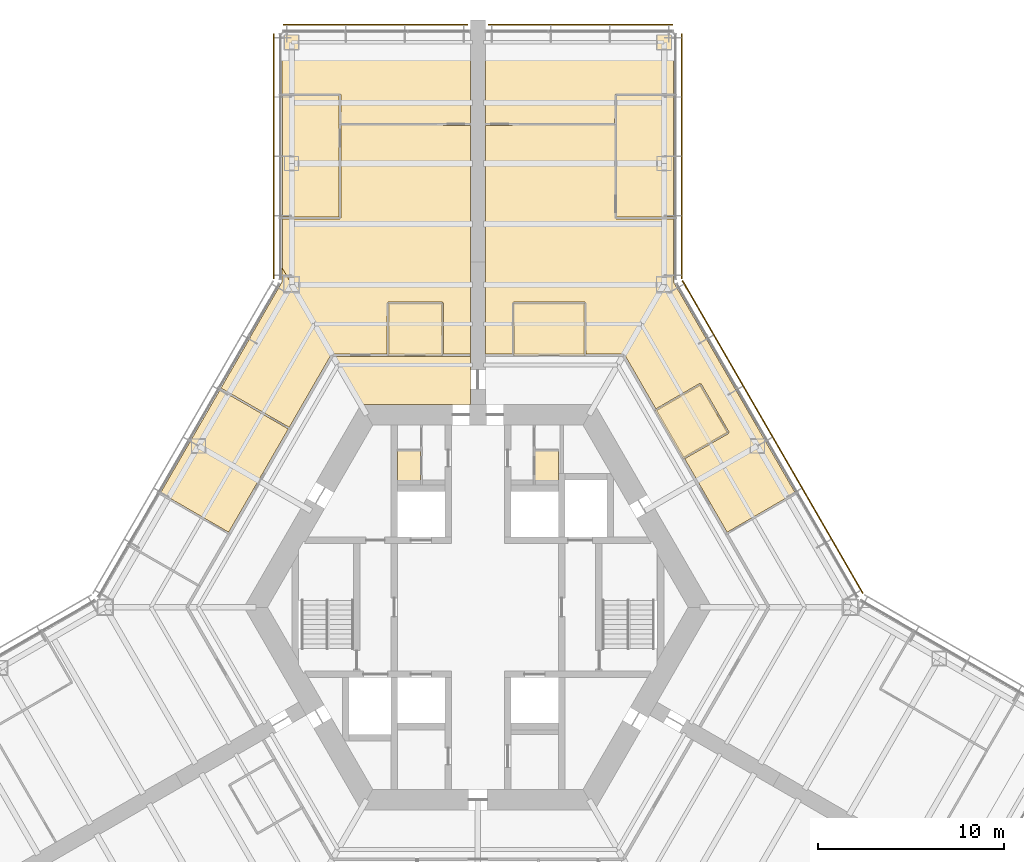
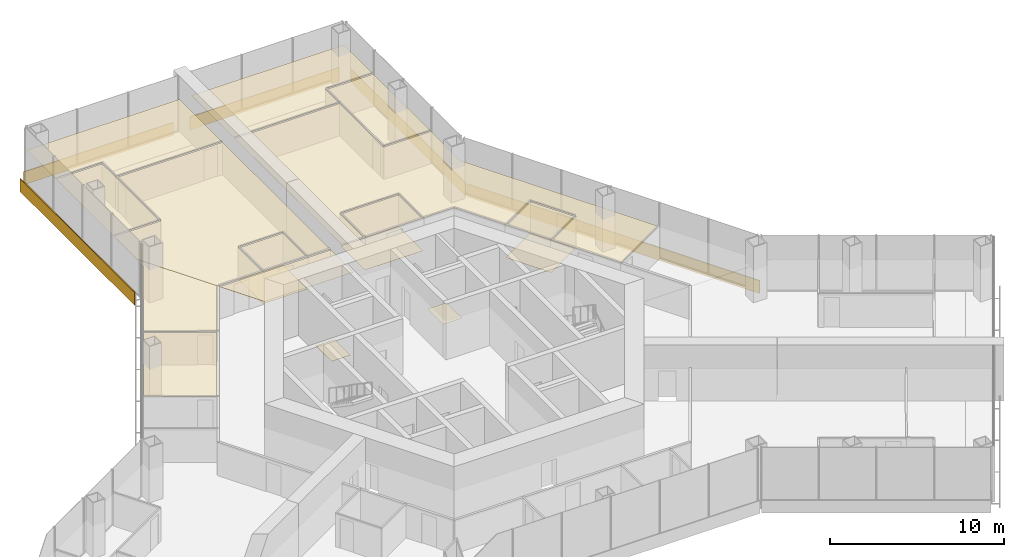
# One storey, part 18 of 18: 17 coverings, 5 shading devices.
"""IFC4 building model written with IfcOpenShell, lengths in metres."""

from ifc_helpers import new_model, si_unit, direction, frame, origin, origin_2d, place, context, subcontext, project, spatial, polyline, rectangle, outline, extrude, material, layer, layer_set, type_object, element, save


model = new_model("IFC4")

# Units and contexts
model_context = context("Model", 3, precision=1e-05, world=origin(), true_north=direction((0.0, 1.0)))
body_context = subcontext(model_context, "Body", "Model", "MODEL_VIEW")
ifc_project = project(units=[si_unit("LENGTHUNIT", "METRE"), si_unit("AREAUNIT", "SQUARE_METRE"), si_unit("VOLUMEUNIT", "CUBIC_METRE"), si_unit("PLANEANGLEUNIT", "RADIAN"), si_unit("MASSUNIT", "GRAM", prefix="KILO")], contexts=[model_context])

# Site, building, storey
site_placement = place(None, origin())
site = spatial("IfcSite", under=ifc_project, at=site_placement, CompositionType="ELEMENT")
building_placement = place(site_placement, origin())
building = spatial("IfcBuilding", under=site, at=building_placement, Name="Kasaneha Research Tower", CompositionType="ELEMENT")
storey_placement = place(building_placement, frame((0.0, 0.0, 119.699951171875)))
storey = spatial("IfcBuildingStorey", under=building, at=storey_placement, Name="L30", CompositionType="ELEMENT", Elevation=119.699951171875)

# Coverings
ifc_material_1 = material(Name="Gypsum ceiling board", Category="gypsum")
ifc_layer_1 = layer(ifc_material_1, 0.02001953125)
ifc_layer_set_1 = layer_set([ifc_layer_1], Name="Suspended ceiling 20")
covering_type_1 = type_object("IfcCoveringType", Name="Suspended ceiling 20", PredefinedType="CEILING", material=ifc_layer_set_1)
covering_1_placement = place(storey_placement, frame((0.0, 0.0, 2.25)))
element("IfcCovering", 1, at=covering_1_placement, inside=storey, type_object=covering_type_1, Name="Ceiling L30-27", PredefinedType="CEILING", context=body_context, shape_type="SweptSolid", body=[
    extrude(outline(polyline([(1.954345703125, 13.60009765625), (1.9501953125, 16.27490234375), (5.70703125, 16.27490234375), (5.70263671875, 13.60009765625), (1.954345703125, 13.60009765625)])), origin(), (0.0, 0.0, 1.0), 0.02001953125),
])
covering_2_placement = place(storey_placement, frame((0.0, 0.0, 2.25)))
element("IfcCovering", 2, at=covering_2_placement, inside=storey, type_object=covering_type_1, Name="Ceiling L30-28", PredefinedType="CEILING", context=body_context, shape_type="SweptSolid", body=[
    extrude(outline(polyline([(11.05078125, 8.0595703125), (9.605224609375, 10.5634765625), (11.919677734375, 11.904541015625), (13.36962890625, 9.393310546875), (11.05078125, 8.0595703125)])), origin(), (0.0, 0.0, 1.0), 0.02001953125),
])
covering_3_placement = place(storey_placement, frame((0.0, 0.0, 2.25)))
element("IfcCovering", 3, at=covering_3_placement, inside=storey, type_object=covering_type_1, Name="Ceiling L30-29", PredefinedType="CEILING", context=body_context, shape_type="SweptSolid", body=[
    extrude(outline(polyline([(10.50048828125, 27.510986328125), (10.5, 27.510986328125), (10.5, 27.56103515625), (7.39990234375, 27.560791015625), (7.39990234375, 27.5107421875), (7.35009765625, 27.5107421875), (7.34521484375, 25.974365234375), (0.419921875, 25.970458984375), (0.419921875, 25.92041015625), (0.39990234375, 25.92041015625), (0.39990234375, 30.820556640625), (10.500244140625, 30.821044921875), (10.50048828125, 27.510986328125)])), origin(), (0.0, 0.0, 1.0), 0.02001953125),
])
covering_4_placement = place(storey_placement, frame((0.0, 0.0, 2.25)))
element("IfcCovering", 4, at=covering_4_placement, inside=storey, type_object=covering_type_1, Name="Ceiling L30-31", PredefinedType="CEILING", context=body_context, shape_type="SweptSolid", body=[
    extrude(outline(polyline([(10.5, 20.941162109375), (7.449951171875, 20.941162109375), (7.449951171875, 25.924560546875), (7.445068359375, 25.924560546875), (7.449951171875, 27.460693359375), (10.5, 27.461181640625), (10.5, 20.941162109375)])), origin(), (0.0, 0.0, 1.0), 0.02001953125),
])
covering_5_placement = place(storey_placement, frame((0.0, 0.0, 2.25)))
element("IfcCovering", 5, at=covering_5_placement, inside=storey, type_object=covering_type_1, Name="Ceiling L30-32", PredefinedType="CEILING", context=body_context, shape_type="SweptSolid", body=[
    extrude(outline(polyline([(13.438232421875, 9.374755859375), (13.438232421875, 9.375), (13.481201171875, 9.39990234375), (11.981201171875, 11.998046875), (11.938232421875, 11.97314453125), (11.938232421875, 11.973388671875), (11.937744140625, 11.97314453125), (11.912841796875, 12.016357421875), (9.55517578125, 10.64990234375), (7.87353515625, 13.5625), (7.80908203125, 13.525146484375), (7.80908203125, 13.525390625), (7.80859375, 13.525390625), (7.80859375, 13.60009765625), (5.802734375, 13.60009765625), (5.806884765625, 16.324951171875), (5.757080078125, 16.324951171875), (5.757080078125, 16.325439453125), (5.757080078125, 16.325439453125), (5.757080078125, 16.375), (1.89990234375, 16.375), (1.89990234375, 16.325439453125), (1.899658203125, 16.325439453125), (1.899658203125, 16.324951171875), (1.85009765625, 16.324951171875), (1.8544921875, 13.60009765625), (0.419921875, 13.60009765625), (0.419921875, 13.525390625), (0.39990234375, 13.525390625), (0.39990234375, 25.919921875), (0.419921875, 25.919921875), (0.419921875, 25.87060546875), (7.35009765625, 25.87451171875), (7.35009765625, 20.89111328125), (7.399658203125, 20.89111328125), (7.399658203125, 20.890869140625), (7.39990234375, 20.890869140625), (7.39990234375, 20.841064453125), (10.5, 20.841064453125), (10.5, 17.45458984375), (17.055908203125, 6.09912109375), (17.055908203125, 6.09912109375), (17.03125, 6.14208984375), (13.37841796875, 4.028076171875), (11.100830078125, 7.972900390625), (13.462890625, 9.33154296875), (13.43798828125, 9.374755859375), (13.438232421875, 9.374755859375)])), origin(), (0.0, 0.0, 1.0), 0.02001953125),
])
covering_6_placement = place(storey_placement, frame((0.0, 0.0, 2.25)))
element("IfcCovering", 6, at=covering_6_placement, inside=storey, type_object=covering_type_1, Name="Ceiling L30-33", PredefinedType="CEILING", context=body_context, shape_type="SweptSolid", body=[
    extrude(outline(polyline([(-0.39990234375, 11.72509765625), (-0.39990234375, 10.875), (-6.278564453125, 10.875), (-7.765380859375, 13.449951171875), (-7.765380859375, 13.449951171875), (-4.833984375, 13.449951171875), (-4.824462890625, 13.449951171875), (-1.904541015625, 13.449951171875), (-1.89501953125, 13.449951171875), (-0.419921875, 13.449951171875), (-0.419921875, 13.52490234375), (-0.39990234375, 13.52490234375), (-0.39990234375, 12.72509765625), (-0.39990234375, 11.72509765625)])), origin(), (0.0, 0.0, 1.0), 0.02001953125),
])
covering_7_placement = place(storey_placement, frame((0.0, 0.0, 2.25)))
element("IfcCovering", 7, at=covering_7_placement, inside=storey, type_object=covering_type_1, Name="Ceiling L30-34", PredefinedType="CEILING", context=body_context, shape_type="SweptSolid", body=[
    extrude(outline(polyline([(-4.77880859375, 16.27490234375), (-1.9501953125, 16.27490234375), (-1.954345703125, 13.60009765625), (-4.774658203125, 13.60009765625), (-4.77880859375, 16.27490234375)])), origin(), (0.0, 0.0, 1.0), 0.02001953125),
])
covering_8_placement = place(storey_placement, frame((0.0, 0.0, 2.25)))
element("IfcCovering", 8, at=covering_8_placement, inside=storey, type_object=covering_type_1, Name="Ceiling L30-35", PredefinedType="CEILING", context=body_context, shape_type="SweptSolid", body=[
    extrude(outline(polyline([(-0.419921875, 25.92041015625), (-0.419921875, 25.970458984375), (-7.34521484375, 25.974365234375), (-7.35009765625, 27.5107421875), (-7.39990234375, 27.5107421875), (-7.39990234375, 27.560791015625), (-10.5, 27.56103515625), (-10.5, 27.510986328125), (-10.50048828125, 27.510986328125), (-10.500244140625, 30.821044921875), (-0.39990234375, 30.820556640625), (-0.39990234375, 25.92041015625), (-0.419921875, 25.92041015625)])), origin(), (0.0, 0.0, 1.0), 0.02001953125),
])
covering_9_placement = place(storey_placement, frame((0.0, 0.0, 2.25)))
element("IfcCovering", 9, at=covering_9_placement, inside=storey, type_object=covering_type_1, Name="Ceiling L30-36", PredefinedType="CEILING", context=body_context, shape_type="SweptSolid", body=[
    extrude(outline(polyline([(-10.5, 27.461181640625), (-7.449951171875, 27.460693359375), (-7.445068359375, 25.924560546875), (-7.449951171875, 25.924560546875), (-7.449951171875, 20.941162109375), (-10.5, 20.941162109375), (-10.5, 27.461181640625)])), origin(), (0.0, 0.0, 1.0), 0.02001953125),
])
covering_10_placement = place(storey_placement, frame((0.0, 0.0, 2.25)))
element("IfcCovering", 10, at=covering_10_placement, inside=storey, type_object=covering_type_1, Name="Ceiling L30-37", PredefinedType="CEILING", context=body_context, shape_type="SweptSolid", body=[
    extrude(outline(polyline([(-1.89990234375, 16.325439453125), (-1.89990234375, 16.375), (-4.8291015625, 16.375), (-4.8291015625, 16.325439453125), (-4.8291015625, 16.324951171875), (-4.87890625, 16.324951171875), (-4.87451171875, 13.60009765625), (-7.78564453125, 13.60009765625), (-7.78564453125, 13.525390625), (-7.808837890625, 13.525390625), (-10.5, 18.1865234375), (-10.5, 20.841064453125), (-7.39990234375, 20.841064453125), (-7.39990234375, 20.890869140625), (-7.399658203125, 20.890869140625), (-7.399658203125, 20.89111328125), (-7.35009765625, 20.89111328125), (-7.35009765625, 25.87451171875), (-0.419921875, 25.87060546875), (-0.419921875, 25.919921875), (-0.39990234375, 25.919921875), (-0.39990234375, 13.525390625), (-0.419921875, 13.525390625), (-0.419921875, 13.60009765625), (-1.8544921875, 13.60009765625), (-1.85009765625, 16.324951171875), (-1.899658203125, 16.324951171875), (-1.899658203125, 16.325439453125), (-1.89990234375, 16.325439453125)])), origin(), (0.0, 0.0, 1.0), 0.02001953125),
])
covering_11_placement = place(storey_placement, frame((0.0, 0.0, 2.25)))
element("IfcCovering", 11, at=covering_11_placement, inside=storey, type_object=covering_type_1, Name="Ceiling L30-40", PredefinedType="CEILING", context=body_context, shape_type="SweptSolid", body=[
    extrude(outline(polyline([(-12.19677734375, 14.53955078125), (-10.511962890625, 17.457763671875), (-10.511962890625, 18.1865234375), (-10.5068359375, 18.196533203125), (-10.49462890625, 18.197265625), (-7.796875, 13.525634765625), (-7.8017578125, 13.513916015625), (-7.80908203125, 13.525146484375), (-7.820556640625, 13.50537109375), (-7.88525390625, 13.54248046875), (-10.127685546875, 9.658447265625), (-13.767578125, 11.755126953125), (-13.79248046875, 11.711669921875), (-13.809814453125, 11.7216796875), (-12.1923828125, 14.523193359375), (-12.19775390625, 14.5302734375), (-12.19677734375, 14.53955078125)])), origin(), (0.0, 0.0, 1.0), 0.02001953125),
])
covering_12_placement = place(storey_placement, frame((0.0, 0.0, 2.25)))
element("IfcCovering", 12, at=covering_12_placement, inside=storey, type_object=covering_type_1, Name="Ceiling L30-44", PredefinedType="CEILING", context=body_context, shape_type="SweptSolid", body=[
    extrude(outline(polyline([(-17.055908203125, 6.09912109375), (-13.81005859375, 11.72119140625), (-13.792724609375, 11.711181640625), (-13.8173828125, 11.66845703125), (-10.177490234375, 9.572021484375), (-13.37841796875, 4.028076171875), (-17.03125, 6.14208984375), (-17.055908203125, 6.09912109375), (-17.055908203125, 6.09912109375)])), origin(), (0.0, 0.0, 1.0), 0.02001953125),
])

# Shading devices
ifc_material_2 = material(Name="Terracotta", Category="masonry")
ifc_layer_2 = layer(ifc_material_2, 0.06005859375)
ifc_layer_set_2 = layer_set([ifc_layer_2], Name="Terracotta baguette screen")
shading_device_type = type_object("IfcShadingDeviceType", Name="Terracotta baguette screen", PredefinedType="USERDEFINED", material=ifc_layer_set_2)
shading_device_1_placement = place(storey_placement, frame((15.82275390625, 9.13525390625, -0.449951171875), z_axis=(0.0, 0.0, 1.0), x_axis=(-0.49999996188, 0.866025425793, 0.0)))
element("IfcShadingDevice", 13, at=shading_device_1_placement, inside=storey, type_object=shading_device_type, Name="Baguette screen L30 07", ObjectType="TERRACOTTA BAGUETTE SCREEN", PredefinedType="USERDEFINED", context=body_context, shape_type="SweptSolid", body=[
    extrude(rectangle(XDim=19.37841796875, YDim=0.06005859375, at=origin_2d()), origin(), (0.0, 0.0, 1.0), 0.89990234375),
])
shading_device_2_placement = place(storey_placement, frame((10.949951171875, 24.200927734375, -0.449951171875), z_axis=(0.0, 0.0, 1.0), x_axis=(0.0, 1.0, 0.0)))
element("IfcShadingDevice", 14, at=shading_device_2_placement, inside=storey, type_object=shading_device_type, Name="Baguette screen L30 08", ObjectType="TERRACOTTA BAGUETTE SCREEN", PredefinedType="USERDEFINED", context=body_context, shape_type="SweptSolid", body=[
    extrude(rectangle(XDim=13.13916015625, YDim=0.06005859375, at=origin_2d()), origin(), (0.0, 0.0, 1.0), 0.89990234375),
])
for number, where, z_axis, x_axis, name in (
    (15, (5.5, 31.2705078125, -0.449951171875), (0.0, 0.0, 1.0), (-1.0, 0.0, 0.0), "Baguette screen L30 09"),
    (16, (-5.5, 31.2705078125, -0.449951171875), (0.0, 0.0, 1.0), (-1.0, 0.0, 0.0), "Baguette screen L30 10"),
):
    element("IfcShadingDevice", number, at=place(storey_placement, frame(where, z_axis=z_axis, x_axis=x_axis)), inside=storey, type_object=shading_device_type, Name=name, ObjectType="TERRACOTTA BAGUETTE SCREEN", PredefinedType="USERDEFINED", context=body_context, shape_type="SweptSolid", body=[
        extrude(rectangle(XDim=9.89990234375, YDim=0.06005859375, at=origin_2d()), origin(), (0.0, 0.0, 1.0), 0.89990234375),
    ])
shading_device_3_placement = place(storey_placement, frame((-10.949951171875, 24.200927734375, -0.449951171875), z_axis=(0.0, 0.0, 1.0), x_axis=(0.0, -1.0, 0.0)))
element("IfcShadingDevice", 17, at=shading_device_3_placement, inside=storey, type_object=shading_device_type, Name="Baguette screen L30 11", ObjectType="TERRACOTTA BAGUETTE SCREEN", PredefinedType="USERDEFINED", context=body_context, shape_type="SweptSolid", body=[
    extrude(rectangle(XDim=13.13916015625, YDim=0.06005859375, at=origin_2d()), origin(), (0.0, 0.0, 1.0), 0.89990234375),
])

# Coverings
ifc_material_3 = material(Name="Vinyl sheet flooring", Category="plastic")
ifc_layer_3 = layer(ifc_material_3, 0.0048828125)
ifc_layer_set_3 = layer_set([ifc_layer_3], Name="Wet room sheet flooring 5")
covering_type_2 = type_object("IfcCoveringType", Name="Wet room sheet flooring 5", PredefinedType="FLOORING", material=ifc_layer_set_3)
covering_13_placement = place(storey_placement, origin())
element("IfcCovering", 18, at=covering_13_placement, inside=storey, type_object=covering_type_2, Name="Floor finish L30-07", PredefinedType="FLOORING", context=body_context, shape_type="SweptSolid", body=[
    extrude(outline(polyline([(-4.324951171875, 6.574951171875), (-4.324951171875, 8.375), (-3.074951171875, 8.375), (-3.074951171875, 6.574951171875), (-4.324951171875, 6.574951171875)])), origin(), (0.0, 0.0, 1.0), 0.005126953125),
])
covering_14_placement = place(storey_placement, origin())
element("IfcCovering", 19, at=covering_14_placement, inside=storey, type_object=covering_type_2, Name="Floor finish L30-10", PredefinedType="FLOORING", context=body_context, shape_type="SweptSolid", body=[
    extrude(outline(polyline([(3.074951171875, 6.574951171875), (3.074951171875, 8.375), (4.324951171875, 8.375), (4.324951171875, 7.0), (4.324951171875, 6.574951171875), (3.074951171875, 6.574951171875)])), origin(), (0.0, 0.0, 1.0), 0.005126953125),
])
covering_15_placement = place(storey_placement, origin())
element("IfcCovering", 20, at=covering_15_placement, inside=storey, type_object=covering_type_2, Name="Floor finish L30-27", PredefinedType="FLOORING", context=body_context, shape_type="SweptSolid", body=[
    extrude(outline(polyline([(1.89990234375, 16.324951171875), (5.757080078125, 16.324951171875), (5.757080078125, 13.52490234375), (1.89990234375, 13.52490234375), (1.89990234375, 16.324951171875)])), origin(), (0.0, 0.0, 1.0), 0.005126953125),
])
covering_16_placement = place(storey_placement, origin())
element("IfcCovering", 21, at=covering_16_placement, inside=storey, type_object=covering_type_2, Name="Floor finish L30-28", PredefinedType="FLOORING", context=body_context, shape_type="SweptSolid", body=[
    extrude(outline(polyline([(11.93798828125, 11.972900390625), (13.43798828125, 9.375), (11.012939453125, 7.974853515625), (9.512939453125, 10.572998046875), (11.93798828125, 11.972900390625)])), origin(), (0.0, 0.0, 1.0), 0.005126953125),
])
covering_17_placement = place(storey_placement, origin())
element("IfcCovering", 22, at=covering_17_placement, inside=storey, type_object=covering_type_2, Name="Floor finish L30-34", PredefinedType="FLOORING", context=body_context, shape_type="SweptSolid", body=[
    extrude(outline(polyline([(-4.8291015625, 16.324951171875), (-1.89990234375, 16.324951171875), (-1.89990234375, 13.52490234375), (-4.8291015625, 13.52490234375), (-4.8291015625, 16.324951171875)])), origin(), (0.0, 0.0, 1.0), 0.005126953125),
])

save(model, "model.ifc")
